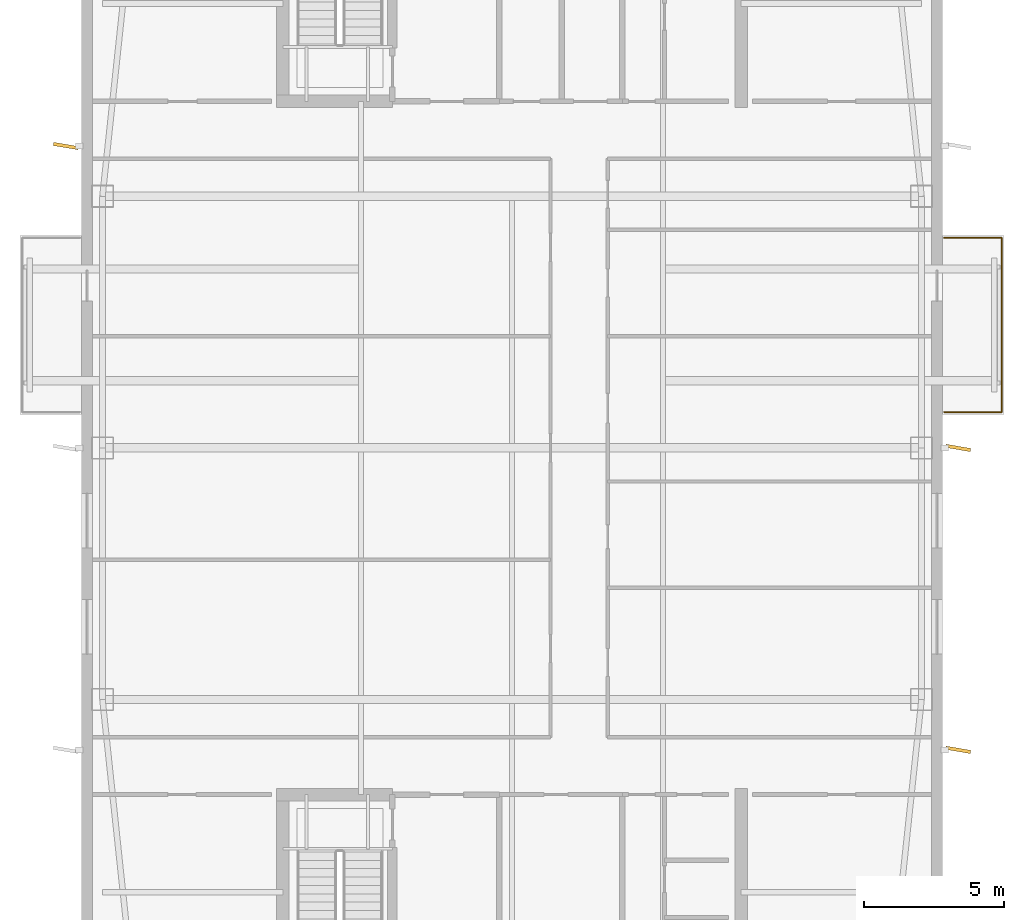
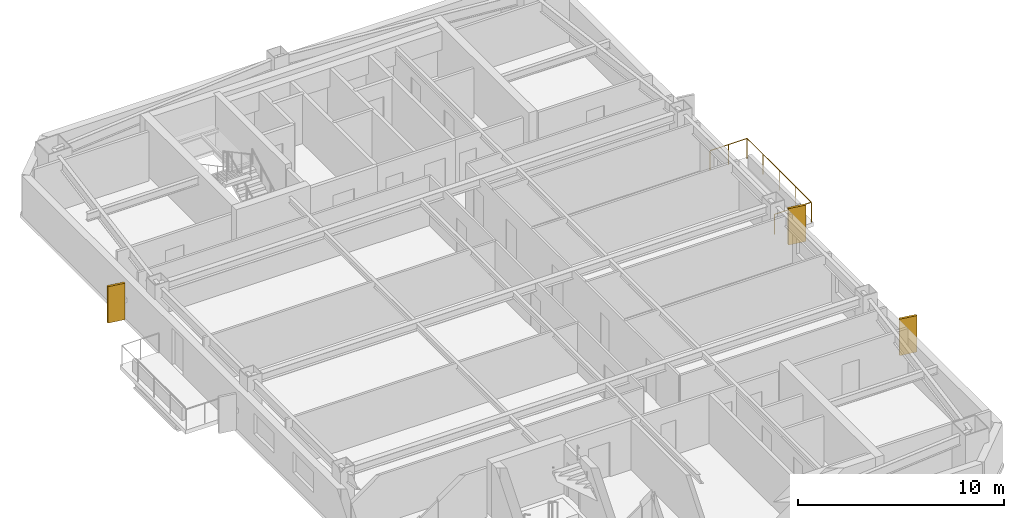
# One storey, part 6 of 7: 3 shading devices, 1 railing.
"""IFC4 building model written with IfcOpenShell, lengths in metres."""

from ifc_helpers import new_model, si_unit, direction, frame, origin, origin_2d, place, context, subcontext, project, spatial, rectangle, circle, extrude, material, layer, layer_set, type_object, element, save


model = new_model("IFC4")

# Units and contexts
model_context = context("Model", 3, precision=1e-05, world=origin(), true_north=direction((0.0, 1.0)))
body_context = subcontext(model_context, "Body", "Model", "MODEL_VIEW")
ifc_project = project(units=[si_unit("LENGTHUNIT", "METRE"), si_unit("AREAUNIT", "SQUARE_METRE"), si_unit("VOLUMEUNIT", "CUBIC_METRE"), si_unit("PLANEANGLEUNIT", "RADIAN"), si_unit("MASSUNIT", "GRAM", prefix="KILO")], contexts=[model_context])

# Site, building, storey
site_placement = place(None, origin())
site = spatial("IfcSite", under=ifc_project, at=site_placement, CompositionType="ELEMENT")
building_placement = place(site_placement, origin())
building = spatial("IfcBuilding", under=site, at=building_placement, Name="Qiaolan Cultural Towers", CompositionType="ELEMENT")
storey_placement = place(building_placement, frame((0.0, 0.0, 266.39990234375)))
storey = spatial("IfcBuildingStorey", under=building, at=storey_placement, Name="L73", CompositionType="ELEMENT", Elevation=266.39990234375)

# Railing
ifc_material_1 = material(Name="Laminated SentryGlas & Stainless Steel S31608 Balustrade", Category="steel")
railing_type = type_object("IfcRailingType", Name="GRD-TERR-1200", PredefinedType="BALUSTRADE", material=ifc_material_1)
railing_placement = place(storey_placement, frame((45.449951171875, 35.280029296875, 0.0)))
element("IfcRailing", 1, at=railing_placement, inside=storey, type_object=railing_type, Name="L73 T1 Tree Balcony Guardrail E", PredefinedType="BALUSTRADE", context=body_context, shape_type="SweptSolid", body=[
    extrude(circle(Radius=0.02392578125, at=origin_2d()), frame((0.0, 0.0, 1.17578125), z_axis=(1.0, 0.0, 0.0), x_axis=(0.0, 1.0, 0.0)), (0.0, 0.0, 1.0), 2.070068359375),
    extrude(circle(Radius=0.02392578125, at=origin_2d()), frame((2.070068359375, 0.0, 1.17578125), z_axis=(0.0, 1.0, 0.0), x_axis=(-1.0, 0.0, 0.0)), (0.0, 0.0, 1.0), 6.239990234375),
    extrude(circle(Radius=0.02392578125, at=origin_2d()), frame((2.070068359375, 6.239990234375, 1.17578125), z_axis=(-1.0, 0.0, 0.0), x_axis=(0.0, -1.0, 0.0)), (0.0, 0.0, 1.0), 2.070068359375),
    extrude(circle(Radius=0.02099609375, at=origin_2d()), origin(), (0.0, 0.0, 1.0), 1.15185546875),
    extrude(circle(Radius=0.02099609375, at=origin_2d()), frame((1.03515625, 0.0, 0.0)), (0.0, 0.0, 1.0), 1.15185546875),
    extrude(circle(Radius=0.02099609375, at=origin_2d()), frame((2.070068359375, 0.0, 0.0)), (0.0, 0.0, 1.0), 1.15185546875),
    extrude(circle(Radius=0.02099609375, at=origin_2d()), frame((2.070068359375, 1.56005859375, 0.0)), (0.0, 0.0, 1.0), 1.15185546875),
    extrude(circle(Radius=0.02099609375, at=origin_2d()), frame((2.070068359375, 3.1201171875, 0.0)), (0.0, 0.0, 1.0), 1.15185546875),
    extrude(circle(Radius=0.02099609375, at=origin_2d()), frame((2.070068359375, 4.679931640625, 0.0)), (0.0, 0.0, 1.0), 1.15185546875),
    extrude(circle(Radius=0.02099609375, at=origin_2d()), frame((2.070068359375, 6.239990234375, 0.0)), (0.0, 0.0, 1.0), 1.15185546875),
    extrude(circle(Radius=0.02099609375, at=origin_2d()), frame((1.03515625, 6.239990234375, 0.0)), (0.0, 0.0, 1.0), 1.15185546875),
    extrude(circle(Radius=0.02099609375, at=origin_2d()), frame((0.0, 6.239990234375, 0.0)), (0.0, 0.0, 1.0), 1.15185546875),
])

# Shading devices
ifc_material_2 = material(Name="Light Limestone Precast Vertical Fin", Category="masonry")
ifc_layer = layer(ifc_material_2, 0.1201171875)
ifc_layer_set = layer_set([ifc_layer], Name="Light Limestone Precast Vertical Fin")
shading_device_type = type_object("IfcShadingDeviceType", Name="SHD-FIN-WHITE", PredefinedType="USERDEFINED", material=ifc_layer_set)
for number, where, z_axis, x_axis, name in (
    (2, (14.0400390625, 44.800048828125, 0.10009765625), (0.0, 0.0, 1.0), (0.98587406802, -0.167488274236, 0.0), "L73 T1 Expressive Precast Vertical Fin W3"),
    (3, (45.9599609375, 23.199951171875, 0.10009765625), (0.0, 0.0, 1.0), (0.98587406802, -0.167488274236, 0.0), "L73 T1 Expressive Precast Vertical Fin E1"),
    (4, (45.9599609375, 34.0, 0.10009765625), (0.0, 0.0, 1.0), (0.98587406802, -0.167488274236, 0.0), "L73 T1 Expressive Precast Vertical Fin E2"),
):
    element("IfcShadingDevice", number, at=place(storey_placement, frame(where, z_axis=z_axis, x_axis=x_axis)), inside=storey, type_object=shading_device_type, Name=name, ObjectType="FIN", PredefinedType="USERDEFINED", context=body_context, shape_type="SweptSolid", body=[
        extrude(rectangle(XDim=0.89990234375, YDim=0.1201171875, at=origin_2d()), origin(), (0.0, 0.0, 1.0), 2.159912109375),
    ])

save(model, "model.ifc")
